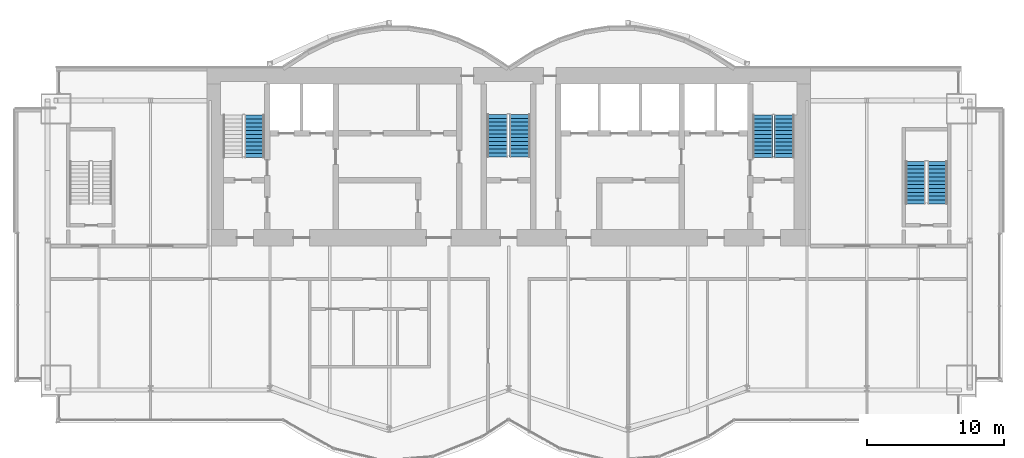
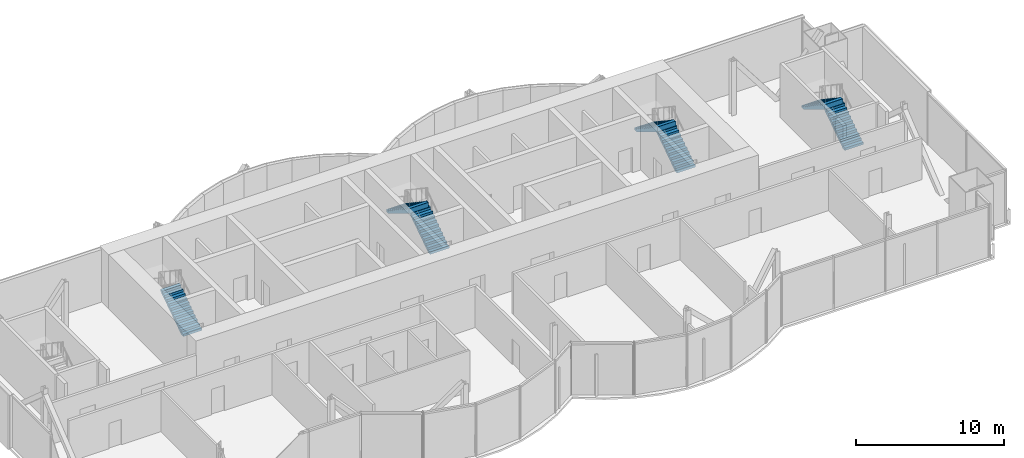
# One storey, part 14 of 17: 7 stair flights, 4 elements without a shape of their own.
"""IFC4 building model written with IfcOpenShell, lengths in metres."""

from ifc_helpers import new_model, si_unit, direction, frame, origin, place, context, subcontext, project, spatial, polyline, outline, extrude, material, type_object, element, aggregate, save


model = new_model("IFC4")

# Units and contexts
model_context = context("Model", 3, precision=1e-05, world=origin(), true_north=direction((0.0, 1.0)))
body_context = subcontext(model_context, "Body", "Model", "MODEL_VIEW")
ifc_project = project(units=[si_unit("LENGTHUNIT", "METRE"), si_unit("AREAUNIT", "SQUARE_METRE"), si_unit("VOLUMEUNIT", "CUBIC_METRE"), si_unit("PLANEANGLEUNIT", "RADIAN"), si_unit("MASSUNIT", "GRAM", prefix="KILO")], contexts=[model_context])

# Site, building, storey
site_placement = place(None, origin())
site = spatial("IfcSite", under=ifc_project, at=site_placement, CompositionType="ELEMENT")
building_placement = place(site_placement, origin())
building = spatial("IfcBuilding", under=site, at=building_placement, Name="Bicima Exchange Tower", CompositionType="ELEMENT")
storey_placement = place(building_placement, frame((0.0, 0.0, 320.0)))
storey = spatial("IfcBuildingStorey", under=building, at=storey_placement, Name="L72", CompositionType="ELEMENT", Elevation=320.0)

# Stair, stair flight
ifc_material = material(Name="Concrete C50/60", Category="concrete")
stair_type_1 = type_object("IfcStairType", Name="Exit stair", PredefinedType="HALF_TURN_STAIR", material=ifc_material)
stair_1_placement = place(storey_placement, origin())
stair_1 = element("IfcStair", 1, at=stair_1_placement, inside=storey, type_object=stair_type_1, Name="L72 West exit stair", PredefinedType="HALF_TURN_STAIR")
stair_flight_type_1 = type_object("IfcStairFlightType", Name="Stair flight RC", PredefinedType="STRAIGHT", material=ifc_material)
stair_flight_1_placement = place(storey_placement, frame((-18.52490234375, -6.550048828125, 0.0), z_axis=(0.0, 0.0, 1.0), x_axis=(0.0, 1.0, 0.0)))
stair_flight_1 = element("IfcStairFlight", 2, at=stair_flight_1_placement, type_object=stair_flight_type_1, Name="ST-W flight 1", NumberOfRisers=12, NumberOfTreads=11, PredefinedType="STRAIGHT", RiserHeight=0.1875, TreadLength=0.28, context=body_context, shape_type="SweptSolid", body=[
    extrude(outline(polyline([(0.0, 0.0), (0.0, 0.1875), (0.280029296875, 0.1875), (0.280029296875, 0.375), (0.56005859375, 0.375), (0.56005859375, 0.5625), (0.840087890625, 0.5625), (0.840087890625, 0.75), (1.1201171875, 0.75), (1.1201171875, 0.9375), (1.39990234375, 0.9375), (1.39990234375, 1.125), (1.679931640625, 1.125), (1.679931640625, 1.3125), (1.9599609375, 1.3125), (1.9599609375, 1.5), (2.239990234375, 1.5), (2.239990234375, 1.6875), (2.52001953125, 1.6875), (2.52001953125, 1.875), (2.800048828125, 1.875), (2.800048828125, 2.0625), (3.080078125, 2.0625), (3.080078125, 2.25), (3.080078125, 1.882080078125), (0.26953125, 0.0), (0.0, 0.0)])), frame((0.0, 0.72509765625, 0.0), z_axis=(0.0, -1.0, 0.0), x_axis=(1.0, 0.0, 0.0)), (0.0, 0.0, 1.0), 1.449951171875),
])
aggregate(stair_1, [stair_flight_1])

# Stair, stair flights
stair_2_placement = place(storey_placement, origin())
stair_2 = element("IfcStair", 3, at=stair_2_placement, inside=storey, type_object=stair_type_1, Name="L72 East exit stair", PredefinedType="HALF_TURN_STAIR")
stair_flight_2_placement = place(storey_placement, frame((20.074951171875, -6.550048828125, 0.0), z_axis=(0.0, 0.0, 1.0), x_axis=(0.0, 1.0, 0.0)))
stair_flight_2 = element("IfcStairFlight", 4, at=stair_flight_2_placement, type_object=stair_flight_type_1, Name="ST-E flight 1", NumberOfRisers=12, NumberOfTreads=11, PredefinedType="STRAIGHT", RiserHeight=0.1875, TreadLength=0.28, context=body_context, shape_type="SweptSolid", body=[
    extrude(outline(polyline([(0.0, 0.0), (0.0, 0.1875), (0.280029296875, 0.1875), (0.280029296875, 0.375), (0.56005859375, 0.375), (0.56005859375, 0.5625), (0.840087890625, 0.5625), (0.840087890625, 0.75), (1.1201171875, 0.75), (1.1201171875, 0.9375), (1.39990234375, 0.9375), (1.39990234375, 1.125), (1.679931640625, 1.125), (1.679931640625, 1.3125), (1.9599609375, 1.3125), (1.9599609375, 1.5), (2.239990234375, 1.5), (2.239990234375, 1.6875), (2.52001953125, 1.6875), (2.52001953125, 1.875), (2.800048828125, 1.875), (2.800048828125, 2.0625), (3.080078125, 2.0625), (3.080078125, 2.25), (3.080078125, 1.882080078125), (0.26953125, 0.0), (0.0, 0.0)])), frame((0.0, 0.72509765625, 0.0), z_axis=(0.0, -1.0, 0.0), x_axis=(1.0, 0.0, 0.0)), (0.0, 0.0, 1.0), 1.449951171875),
])
stair_flight_3_placement = place(storey_placement, frame((18.52490234375, -3.469970703125, 2.25), z_axis=(0.0, 0.0, 1.0), x_axis=(0.0, -1.0, 0.0)))
stair_flight_3 = element("IfcStairFlight", 5, at=stair_flight_3_placement, type_object=stair_flight_type_1, Name="ST-E flight 2", NumberOfRisers=12, NumberOfTreads=11, PredefinedType="STRAIGHT", RiserHeight=0.1875, TreadLength=0.28, context=body_context, shape_type="SweptSolid", body=[
    extrude(outline(polyline([(0.0, 0.0), (0.0, 0.1875), (0.280029296875, 0.1875), (0.280029296875, 0.375), (0.56005859375, 0.375), (0.56005859375, 0.5625), (0.840087890625, 0.5625), (0.840087890625, 0.75), (1.1201171875, 0.75), (1.1201171875, 0.9375), (1.39990234375, 0.9375), (1.39990234375, 1.125), (1.679931640625, 1.125), (1.679931640625, 1.3125), (1.9599609375, 1.3125), (1.9599609375, 1.5), (2.239990234375, 1.5), (2.239990234375, 1.6875), (2.52001953125, 1.6875), (2.52001953125, 1.875), (2.800048828125, 1.875), (2.800048828125, 2.0625), (3.080078125, 2.0625), (3.080078125, 2.10400390625), (3.094970703125, 2.10400390625), (3.094970703125, 1.70458984375), (0.26953125, 0.0), (0.0, 0.0)])), frame((0.0, 0.72509765625, 0.0), z_axis=(0.0, -1.0, 0.0), x_axis=(1.0, 0.0, 0.0)), (0.0, 0.0, 1.0), 1.449951171875),
])
aggregate(stair_2, [stair_flight_2, stair_flight_3])

stair_3_placement = place(storey_placement, origin())
stair_3 = element("IfcStair", 6, at=stair_3_placement, inside=storey, type_object=stair_type_1, Name="L72 East end exit stair", PredefinedType="HALF_TURN_STAIR")
stair_flight_4_placement = place(storey_placement, frame((31.25, -9.925048828125, 0.0), z_axis=(0.0, 0.0, 1.0), x_axis=(0.0, 1.0, 0.0)))
stair_flight_4 = element("IfcStairFlight", 7, at=stair_flight_4_placement, type_object=stair_flight_type_1, Name="ST-EE flight 1", NumberOfRisers=12, NumberOfTreads=11, PredefinedType="STRAIGHT", RiserHeight=0.1875, TreadLength=0.28, context=body_context, shape_type="SweptSolid", body=[
    extrude(outline(polyline([(0.0, 0.0), (0.0, 0.1875), (0.280029296875, 0.1875), (0.280029296875, 0.375), (0.56005859375, 0.375), (0.56005859375, 0.5625), (0.840087890625, 0.5625), (0.840087890625, 0.75), (1.1201171875, 0.75), (1.1201171875, 0.9375), (1.39990234375, 0.9375), (1.39990234375, 1.125), (1.679931640625, 1.125), (1.679931640625, 1.3125), (1.9599609375, 1.3125), (1.9599609375, 1.5), (2.239990234375, 1.5), (2.239990234375, 1.6875), (2.52001953125, 1.6875), (2.52001953125, 1.875), (2.800048828125, 1.875), (2.800048828125, 2.0625), (3.080078125, 2.0625), (3.080078125, 2.25), (3.080078125, 1.882080078125), (0.26953125, 0.0), (0.0, 0.0)])), frame((0.0, 0.72509765625, 0.0), z_axis=(0.0, -1.0, 0.0), x_axis=(1.0, 0.0, 0.0)), (0.0, 0.0, 1.0), 1.449951171875),
])
stair_flight_5_placement = place(storey_placement, frame((29.64990234375, -6.844970703125, 2.25), z_axis=(0.0, 0.0, 1.0), x_axis=(0.0, -1.0, 0.0)))
stair_flight_5 = element("IfcStairFlight", 8, at=stair_flight_5_placement, type_object=stair_flight_type_1, Name="ST-EE flight 2", NumberOfRisers=12, NumberOfTreads=11, PredefinedType="STRAIGHT", RiserHeight=0.1875, TreadLength=0.28, context=body_context, shape_type="SweptSolid", body=[
    extrude(outline(polyline([(0.0, 0.0), (0.0, 0.1875), (0.280029296875, 0.1875), (0.280029296875, 0.375), (0.56005859375, 0.375), (0.56005859375, 0.5625), (0.840087890625, 0.5625), (0.840087890625, 0.75), (1.1201171875, 0.75), (1.1201171875, 0.9375), (1.39990234375, 0.9375), (1.39990234375, 1.125), (1.679931640625, 1.125), (1.679931640625, 1.3125), (1.9599609375, 1.3125), (1.9599609375, 1.5), (2.239990234375, 1.5), (2.239990234375, 1.6875), (2.52001953125, 1.6875), (2.52001953125, 1.875), (2.800048828125, 1.875), (2.800048828125, 2.0625), (3.080078125, 2.0625), (3.080078125, 2.10400390625), (3.094970703125, 2.10400390625), (3.094970703125, 1.70458984375), (0.26953125, 0.0), (0.0, 0.0)])), frame((0.0, 0.72509765625, 0.0), z_axis=(0.0, -1.0, 0.0), x_axis=(1.0, 0.0, 0.0)), (0.0, 0.0, 1.0), 1.449951171875),
])
aggregate(stair_3, [stair_flight_4, stair_flight_5])

stair_type_2 = type_object("IfcStairType", Name="Exit stair 1500", PredefinedType="HALF_TURN_STAIR", material=ifc_material)
stair_4_placement = place(storey_placement, origin())
stair_4 = element("IfcStair", 9, at=stair_4_placement, inside=storey, type_object=stair_type_2, Name="L72 Central exit stair", PredefinedType="HALF_TURN_STAIR")
stair_flight_type_2 = type_object("IfcStairFlightType", Name="Stair flight RC 1500", PredefinedType="STRAIGHT", material=ifc_material)
stair_flight_6_placement = place(storey_placement, frame((0.824951171875, -6.5, 0.0), z_axis=(0.0, 0.0, 1.0), x_axis=(0.0, 1.0, 0.0)))
stair_flight_6 = element("IfcStairFlight", 10, at=stair_flight_6_placement, type_object=stair_flight_type_2, Name="ST-C flight 1", NumberOfRisers=12, NumberOfTreads=11, PredefinedType="STRAIGHT", RiserHeight=0.1875, TreadLength=0.28, context=body_context, shape_type="SweptSolid", body=[
    extrude(outline(polyline([(0.0, 0.0), (0.0, 0.1875), (0.280029296875, 0.1875), (0.280029296875, 0.375), (0.56005859375, 0.375), (0.56005859375, 0.5625), (0.840087890625, 0.5625), (0.840087890625, 0.75), (1.1201171875, 0.75), (1.1201171875, 0.9375), (1.39990234375, 0.9375), (1.39990234375, 1.125), (1.679931640625, 1.125), (1.679931640625, 1.3125), (1.9599609375, 1.3125), (1.9599609375, 1.5), (2.239990234375, 1.5), (2.239990234375, 1.6875), (2.52001953125, 1.6875), (2.52001953125, 1.875), (2.800048828125, 1.875), (2.800048828125, 2.0625), (3.080078125, 2.0625), (3.080078125, 2.25), (3.080078125, 1.882080078125), (0.26953125, 0.0), (0.0, 0.0)])), frame((0.0, 0.75, 0.0), z_axis=(0.0, -1.0, 0.0), x_axis=(1.0, 0.0, 0.0)), (0.0, 0.0, 1.0), 1.5),
])
stair_flight_7_placement = place(storey_placement, frame((-0.824951171875, -3.419921875, 2.25), z_axis=(0.0, 0.0, 1.0), x_axis=(0.0, -1.0, 0.0)))
stair_flight_7 = element("IfcStairFlight", 11, at=stair_flight_7_placement, type_object=stair_flight_type_2, Name="ST-C flight 2", NumberOfRisers=12, NumberOfTreads=11, PredefinedType="STRAIGHT", RiserHeight=0.1875, TreadLength=0.28, context=body_context, shape_type="SweptSolid", body=[
    extrude(outline(polyline([(0.0, 0.0), (0.0, 0.1875), (0.280029296875, 0.1875), (0.280029296875, 0.375), (0.56005859375, 0.375), (0.56005859375, 0.5625), (0.840087890625, 0.5625), (0.840087890625, 0.75), (1.1201171875, 0.75), (1.1201171875, 0.9375), (1.39990234375, 0.9375), (1.39990234375, 1.125), (1.679931640625, 1.125), (1.679931640625, 1.3125), (1.9599609375, 1.3125), (1.9599609375, 1.5), (2.239990234375, 1.5), (2.239990234375, 1.6875), (2.52001953125, 1.6875), (2.52001953125, 1.875), (2.800048828125, 1.875), (2.800048828125, 2.0625), (3.080078125, 2.0625), (3.080078125, 2.10400390625), (3.094970703125, 2.10400390625), (3.094970703125, 1.70458984375), (0.26953125, 0.0), (0.0, 0.0)])), frame((0.0, 0.75, 0.0), z_axis=(0.0, -1.0, 0.0), x_axis=(1.0, 0.0, 0.0)), (0.0, 0.0, 1.0), 1.5),
])
aggregate(stair_4, [stair_flight_6, stair_flight_7])

save(model, "model.ifc")
